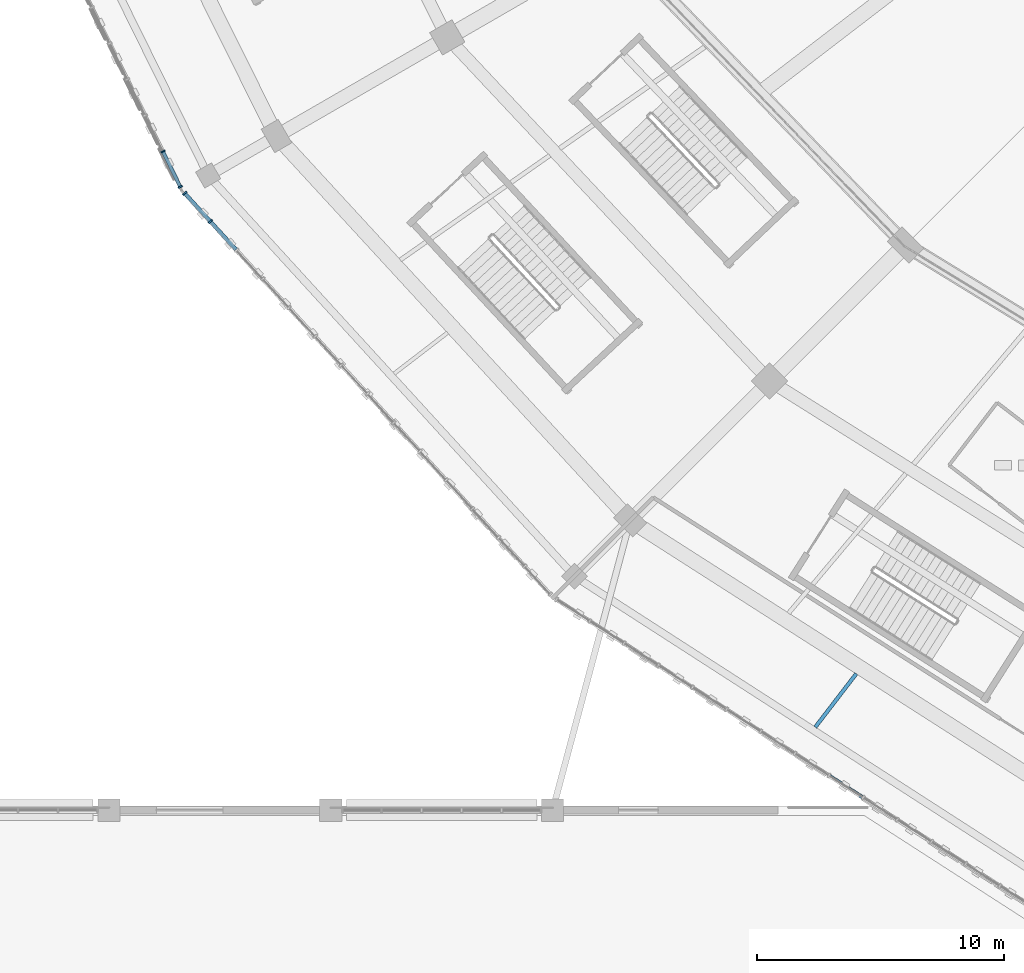
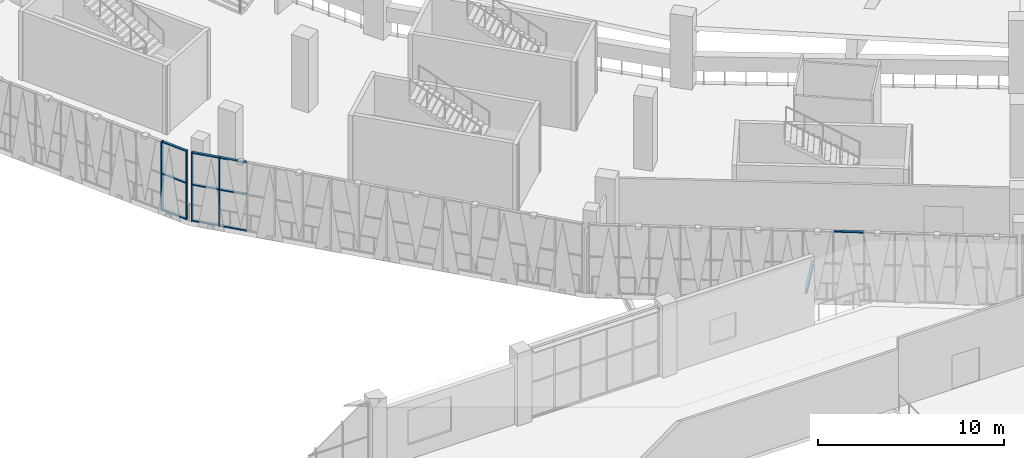
# One storey, part 7 of 183: 14 members, 1 beam, 3 elements without a shape of their own.
"""IFC4 building model written with IfcOpenShell, lengths in metres."""

import ifcopenshell
import ifcopenshell.guid

model = None  # the IFC model being written
_history = None  # IfcOwnerHistory: only IFC2X3 demands one
_inside = {}  # id of a spatial element -> (the spatial element, [elements in it])
_under = {}  # id of a project, library or spatial element -> (it, [spatial elements below it])
_declared = {}  # id of a project -> (the project, [libraries it declares])
_typed = {}  # id of a type object -> (the type object, [elements of that type])
_made_of = {}  # id of a material, layer set ... -> (it, [elements and type objects made of it])


def new_model(schema):
    """Start an empty IFC model of exactly this schema.

    Asked for "IFC4X3", IfcOpenShell would pick the latest addendum, in which some entities
    have other attributes; the version numbers below select the first issue.
    IFC2X3 requires an IfcOwnerHistory on every rooted entity: one is made here for all.
    """
    global model, _history
    if schema == "IFC4X3":
        model = ifcopenshell.file(schema_version=(4, 3, 0, 0))
    else:
        model = ifcopenshell.file(schema=schema)
    _inside.clear()
    _under.clear()
    _declared.clear()
    _typed.clear()
    _made_of.clear()
    _history = None
    if model.schema == "IFC2X3":
        org = make("IfcOrganization", Name="unknown")
        user = make(
            "IfcPersonAndOrganization",
            ThePerson=make("IfcPerson", FamilyName="unknown"),
            TheOrganization=org,
        )
        app = make(
            "IfcApplication",
            ApplicationDeveloper=org,
            Version="unknown",
            ApplicationFullName="unknown",
            ApplicationIdentifier="unknown",
        )
        _history = make(
            "IfcOwnerHistory",
            OwningUser=user,
            OwningApplication=app,
            ChangeAction="ADDED",
            CreationDate=0,
        )
    return model


def make(cls, **values):
    """One entity of the class cls with the attributes given. An attribute that is None is left unset."""
    return model.create_entity(
        cls, **{name: value for name, value in values.items() if value is not None}
    )


def rooted(cls, **values):
    """An entity with a GlobalId (a new one), such as an element, a storey or a relation."""
    return make(cls, GlobalId=ifcopenshell.guid.new(), OwnerHistory=_history, **values)


def si_unit(unit_type, name, prefix=None):
    """IfcSIUnit, for example si_unit("LENGTHUNIT", "METRE", prefix="MILLI")."""
    return make("IfcSIUnit", UnitType=unit_type, Prefix=prefix, Name=name)


def assignment(units):
    """IfcUnitAssignment: the units of a project."""
    return None if units is None else make("IfcUnitAssignment", Units=units)


def point(xyz):
    """IfcCartesianPoint."""
    return None if xyz is None else make("IfcCartesianPoint", Coordinates=xyz)


def direction(xyz):
    """IfcDirection."""
    return None if xyz is None else make("IfcDirection", DirectionRatios=xyz)


def frame(location, z_axis=None, x_axis=None):
    """IfcAxis2Placement3D, a coordinate frame: its origin and axes. An axis left out is left unset."""
    return make(
        "IfcAxis2Placement3D",
        Location=point(location),
        Axis=direction(z_axis),
        RefDirection=direction(x_axis),
    )


def frame_2d(location, x_axis=None):
    """IfcAxis2Placement2D, a coordinate frame in the plane: its origin and x axis."""
    return make(
        "IfcAxis2Placement2D", Location=point(location), RefDirection=direction(x_axis)
    )


def origin():
    """The frame at (0, 0, 0) with its axes left unset."""
    return frame((0.0, 0.0, 0.0))


def origin_2d():
    """The frame at (0, 0) in the plane with its x axis left unset."""
    return frame_2d((0.0, 0.0))


def place(relative_to, where):
    """IfcLocalPlacement: puts the frame where relative to a parent placement (None: the world)."""
    return make(
        "IfcLocalPlacement", PlacementRelTo=relative_to, RelativePlacement=where
    )


def context(
    kind, dimensions, precision=None, world=None, true_north=None, identifier=None
):
    """IfcGeometricRepresentationContext, for example the 3D "Model" context."""
    return make(
        "IfcGeometricRepresentationContext",
        ContextIdentifier=identifier,
        ContextType=kind,
        CoordinateSpaceDimension=dimensions,
        Precision=precision,
        WorldCoordinateSystem=world,
        TrueNorth=true_north,
    )


def subcontext(parent, identifier, kind, view, scale=None):
    """IfcGeometricRepresentationSubContext, for example "Body" below "Model"."""
    return make(
        "IfcGeometricRepresentationSubContext",
        ContextIdentifier=identifier,
        ContextType=kind,
        ParentContext=parent,
        TargetScale=scale,
        TargetView=view,
    )


def project(units=None, contexts=None):
    """IfcProject with its units and contexts."""
    return rooted(
        "IfcProject",
        Name="project",
        RepresentationContexts=contexts,
        UnitsInContext=assignment(units),
    )


def spatial(cls, under=None, at=None, **own):
    """A site, building, storey or space (cls), placed at a placement, below another one or the project."""
    s = rooted(cls, ObjectPlacement=at, **own)
    if under is not None:
        _under.setdefault(under.id(), (under, []))[1].append(s)
    return s


def profile(cls, at=None, kind="AREA", **sizes):
    """A parametric profile (cls). Its sizes go by their IFC names, for example OverallWidth=200.0."""
    return make(cls, ProfileType=kind, Position=at, **sizes)


def rectangle(**sizes):
    """IfcRectangleProfileDef."""
    return profile("IfcRectangleProfileDef", **sizes)


def i_section(**sizes):
    """IfcIShapeProfileDef."""
    return profile("IfcIShapeProfileDef", **sizes)


def extrude(swept, where, along, depth):
    """IfcExtrudedAreaSolid: the profile swept, set in the frame where, extruded along a direction by depth."""
    return make(
        "IfcExtrudedAreaSolid",
        SweptArea=swept,
        Position=where,
        ExtrudedDirection=direction(along),
        Depth=depth,
    )


def shape(context_of_items, identifier, shape_type, items):
    """IfcShapeRepresentation: the items that make up one representation, for example the "Body"."""
    return make(
        "IfcShapeRepresentation",
        ContextOfItems=context_of_items,
        RepresentationIdentifier=identifier,
        RepresentationType=shape_type,
        Items=items,
    )


def material(Name=None, Category=None):
    """IfcMaterial."""
    return make("IfcMaterial", Name=Name, Category=Category)


def material_profile(
    of_material, cross_section, Name=None, Category=None, Priority=None
):
    """IfcMaterialProfile: a cross section and its material."""
    return make(
        "IfcMaterialProfile",
        Name=Name,
        Material=of_material,
        Profile=cross_section,
        Priority=Priority,
        Category=Category,
    )


def profile_set(profiles, Name=None, composite=None):
    """IfcMaterialProfileSet."""
    return make(
        "IfcMaterialProfileSet",
        Name=Name,
        MaterialProfiles=profiles,
        CompositeProfile=composite,
    )


def made_of(thing, what):
    """Note that an element or type object is made of a material, layer set ...; save() writes the relation."""
    if what is not None:
        _made_of.setdefault(what.id(), (what, []))[1].append(thing)
    return thing


def type_object(cls, material=None, **own):
    """A type object (cls), such as IfcWallType, which elements share."""
    return made_of(rooted(cls, **own), material)


def element(
    cls,
    number,
    at=None,
    inside=None,
    cuts=None,
    type_object=None,
    material=None,
    context=None,
    identifier="Body",
    shape_type=None,
    held_by="IfcProductDefinitionShape",
    body=None,
    shapes=None,
    **own,
):
    """One element of the class cls, such as IfcWall. Its Tag is "e" and its number.

    at: its placement. inside: the storey or other place that contains it. cuts: it is an
    opening in that element (IfcRelVoidsElement). A single representation is given by context,
    identifier, shape_type and body (its items); several are given by shapes. held_by: the class
    of the entity that holds the representations. save() writes the other relations.
    """
    e = rooted(cls, Tag="e%d" % number, ObjectPlacement=at, **own)
    if body is not None:
        shapes = [shape(context, identifier, shape_type, body)]
    if shapes is not None:
        e.Representation = make(held_by, Representations=shapes)
    if inside is not None:
        _inside.setdefault(inside.id(), (inside, []))[1].append(e)
    if cuts is not None:
        rooted(
            "IfcRelVoidsElement", RelatingBuildingElement=cuts, RelatedOpeningElement=e
        )
    if type_object is not None:
        _typed.setdefault(type_object.id(), (type_object, []))[1].append(e)
    return made_of(e, material)


def aggregate(whole, parts):
    """IfcRelAggregates: a whole, such as a stair, and the parts it consists of."""
    return rooted("IfcRelAggregates", RelatingObject=whole, RelatedObjects=parts)


def save(model, path):
    """Write the relations noted so far, then the file.

    IfcRelAggregates (storeys below a building ...), IfcRelContainedInSpatialStructure (elements
    in a storey), IfcRelDefinesByType, IfcRelAssociatesMaterial and IfcRelDeclares: one each for
    every whole, place, type object, material and project.
    """
    for whole, parts in _under.values():
        aggregate(whole, parts)
    for where, things in _inside.values():
        rooted(
            "IfcRelContainedInSpatialStructure",
            RelatedElements=things,
            RelatingStructure=where,
        )
    for kind, things in _typed.values():
        rooted("IfcRelDefinesByType", RelatedObjects=things, RelatingType=kind)
    for what, things in _made_of.values():
        rooted("IfcRelAssociatesMaterial", RelatedObjects=things, RelatingMaterial=what)
    for by, libraries in _declared.values():
        rooted("IfcRelDeclares", RelatingContext=by, RelatedDefinitions=libraries)
    model.write(path)


model = new_model("IFC4")

# Units and contexts
model_context = context("Model", 3, precision=1e-05, world=origin(), true_north=direction((0.0, 1.0)))
body_context = subcontext(model_context, "Body", "Model", "MODEL_VIEW")
ifc_project = project(units=[si_unit("LENGTHUNIT", "METRE"), si_unit("AREAUNIT", "SQUARE_METRE"), si_unit("VOLUMEUNIT", "CUBIC_METRE"), si_unit("PLANEANGLEUNIT", "RADIAN"), si_unit("MASSUNIT", "GRAM", prefix="KILO")], contexts=[model_context])

# Site, building, storey
site_placement = place(None, origin())
site = spatial("IfcSite", under=ifc_project, at=site_placement, CompositionType="ELEMENT")
building_placement = place(site_placement, origin())
building = spatial("IfcBuilding", under=site, at=building_placement, Name="Zevraka Park Crest Stadium", CompositionType="ELEMENT")
storey_placement = place(building_placement, frame((0.0, 0.0, 5.39990234375)))
storey = spatial("IfcBuildingStorey", under=building, at=storey_placement, Name="L01", CompositionType="ELEMENT", Elevation=5.39990234375)

# Curtain wall, members
ifc_material_1 = material(Name="Anodised architectural aluminium and laminated safety glass", Category="aluminium")
curtain_wall_type_1 = type_object("IfcCurtainWallType", Name="CW02", PredefinedType="NOTDEFINED", material=ifc_material_1)
curtain_wall_1_placement = place(storey_placement, origin())
curtain_wall_1 = element("IfcCurtainWall", 1, at=curtain_wall_1_placement, inside=storey, type_object=curtain_wall_type_1, Name="Unitised Ring Curtain Wall CW02 L01-13", PredefinedType="NOTDEFINED")
ifc_material_2 = material(Name="Anodised architectural aluminium", Category="aluminium")
ifc_material_profile_1 = material_profile(ifc_material_2, rectangle(XDim=0.179931640625, YDim=0.06494140625, at=origin_2d()), Name="ALU MULLION 180x65")
ifc_profile_set_1 = profile_set([ifc_material_profile_1], Name="Anodised architectural aluminium")
member_type_1 = type_object("IfcMemberType", Name="CM02", PredefinedType="MULLION", material=ifc_profile_set_1)
member_1_placement = place(storey_placement, frame((29.19189453125, 53.72216796875, 0.0), z_axis=(0.0, 0.0, 1.0), x_axis=(0.897252732312, 0.44151730924, 0.0)))
member_1 = element("IfcMember", 2, at=member_1_placement, type_object=member_type_1, Name="CW02 mullion 13", PredefinedType="MULLION", context=body_context, shape_type="SweptSolid", body=[
    extrude(rectangle(XDim=0.179931640625, YDim=0.06494140625, at=origin_2d()), origin(), (0.0, 0.0, 1.0), 4.52001953125),
])
member_2_placement = place(storey_placement, frame((29.896728515625, 52.2900390625, 0.0), z_axis=(0.0, 0.0, 1.0), x_axis=(0.897252732312, 0.44151730924, 0.0)))
member_2 = element("IfcMember", 3, at=member_2_placement, type_object=member_type_1, Name="CW02 mullion 14", PredefinedType="MULLION", context=body_context, shape_type="SweptSolid", body=[
    extrude(rectangle(XDim=0.179931640625, YDim=0.06494140625, at=origin_2d()), origin(), (0.0, 0.0, 1.0), 4.52001953125),
])

ifc_material_3 = material(Name="Anodised architectural aluminium and laminated safety glass", Category="aluminium")
curtain_wall_type_2 = type_object("IfcCurtainWallType", Name="CW03", PredefinedType="NOTDEFINED", material=ifc_material_3)
curtain_wall_2_placement = place(storey_placement, origin())
curtain_wall_2 = element("IfcCurtainWall", 4, at=curtain_wall_2_placement, inside=storey, type_object=curtain_wall_type_2, Name="Unitised Ring Curtain Wall CW03 L01-14", PredefinedType="NOTDEFINED")
ifc_material_4 = material(Name="Anodised architectural aluminium", Category="aluminium")
ifc_material_profile_2 = material_profile(ifc_material_4, rectangle(XDim=0.199951171875, YDim=0.070068359375, at=origin_2d()), Name="ALU MULLION 200x70")
ifc_profile_set_2 = profile_set([ifc_material_profile_2], Name="Anodised architectural aluminium")
member_type_2 = type_object("IfcMemberType", Name="CM03", PredefinedType="MULLION", material=ifc_profile_set_2)
member_3_placement = place(storey_placement, frame((30.07763671875, 52.024169921875, 0.0), z_axis=(0.0, 0.0, 1.0), x_axis=(0.739023476371, 0.673679672672, 0.0)))
member_3 = element("IfcMember", 5, at=member_3_placement, type_object=member_type_2, Name="CW03 mullion 1", PredefinedType="MULLION", context=body_context, shape_type="SweptSolid", body=[
    extrude(rectangle(XDim=0.199951171875, YDim=0.070068359375, at=origin_2d()), origin(), (0.0, 0.0, 1.0), 4.52001953125),
])
member_4_placement = place(storey_placement, frame((31.11669921875, 50.88427734375, 0.0), z_axis=(0.0, 0.0, 1.0), x_axis=(0.739023476371, 0.673679672672, 0.0)))
member_4 = element("IfcMember", 6, at=member_4_placement, type_object=member_type_2, Name="CW03 mullion 2", PredefinedType="MULLION", context=body_context, shape_type="SweptSolid", body=[
    extrude(rectangle(XDim=0.199951171875, YDim=0.070068359375, at=origin_2d()), origin(), (0.0, 0.0, 1.0), 4.52001953125),
])

# Member
ifc_material_5 = material(Name="Anodised architectural aluminium", Category="aluminium")
ifc_material_profile_3 = material_profile(ifc_material_5, rectangle(XDim=0.139892578125, YDim=0.06494140625, at=origin_2d()), Name="ALU TRANSOM 140x65")
ifc_profile_set_3 = profile_set([ifc_material_profile_3], Name="Anodised architectural aluminium")
member_type_3 = type_object("IfcMemberType", Name="CT02", PredefinedType="USERDEFINED", material=ifc_profile_set_3)
member_5_placement = place(storey_placement, frame((29.206298828125, 53.69287109375, 0.03271484375), z_axis=(0.441591204786, -0.897216366244, 0.0), x_axis=(0.897216366244, 0.441591204786, 0.0)))
member_5 = element("IfcMember", 7, at=member_5_placement, type_object=member_type_3, Name="CW02 transom 13.1", ObjectType="TRANSOM", PredefinedType="USERDEFINED", context=body_context, shape_type="SweptSolid", body=[
    extrude(rectangle(XDim=0.139892578125, YDim=0.06494140625, at=origin_2d()), origin(), (0.0, 0.0, 1.0), 1.531005859375),
])

member_6_placement = place(storey_placement, frame((29.206298828125, 53.69287109375, 2.400146484375), z_axis=(0.441591204786, -0.897216366244, 0.0), x_axis=(0.897216366244, 0.441591204786, 0.0)))
member_6 = element("IfcMember", 8, at=member_6_placement, type_object=member_type_3, Name="CW02 transom 13.2", ObjectType="TRANSOM", PredefinedType="USERDEFINED", context=body_context, shape_type="SweptSolid", body=[
    extrude(rectangle(XDim=0.139892578125, YDim=0.06494140625, at=origin_2d()), origin(), (0.0, 0.0, 1.0), 1.531005859375),
])

member_7_placement = place(storey_placement, frame((29.206298828125, 53.69287109375, 4.487548828125), z_axis=(0.441591204786, -0.897216366244, 0.0), x_axis=(0.897216366244, 0.441591204786, 0.0)))
member_7 = element("IfcMember", 9, at=member_7_placement, type_object=member_type_3, Name="CW02 transom 13.3", ObjectType="TRANSOM", PredefinedType="USERDEFINED", context=body_context, shape_type="SweptSolid", body=[
    extrude(rectangle(XDim=0.139892578125, YDim=0.06494140625, at=origin_2d()), origin(), (0.0, 0.0, 1.0), 1.531005859375),
])

aggregate(curtain_wall_1, [member_1, member_2, member_5, member_6, member_7])

ifc_material_6 = material(Name="Anodised architectural aluminium", Category="aluminium")
ifc_material_profile_4 = material_profile(ifc_material_6, rectangle(XDim=0.14990234375, YDim=0.070068359375, at=origin_2d()), Name="ALU TRANSOM 150x70")
ifc_profile_set_4 = profile_set([ifc_material_profile_4], Name="Anodised architectural aluminium")
member_type_4 = type_object("IfcMemberType", Name="CT03", PredefinedType="USERDEFINED", material=ifc_profile_set_4)
member_8_placement = place(storey_placement, frame((30.10107421875, 51.998291015625, 0.03515625), z_axis=(0.673687280194, -0.739016541429, 0.0), x_axis=(0.739016541429, 0.673687280194, 0.0)))
member_8 = element("IfcMember", 10, at=member_8_placement, type_object=member_type_4, Name="CW03 transom 1.1", ObjectType="TRANSOM", PredefinedType="USERDEFINED", context=body_context, shape_type="SweptSolid", body=[
    extrude(rectangle(XDim=0.14990234375, YDim=0.070068359375, at=origin_2d()), origin(), (0.0, 0.0, 1.0), 1.472412109375),
])

member_9_placement = place(storey_placement, frame((30.10107421875, 51.998291015625, 2.400146484375), z_axis=(0.673687280194, -0.739016541429, 0.0), x_axis=(0.739016541429, 0.673687280194, 0.0)))
member_9 = element("IfcMember", 11, at=member_9_placement, type_object=member_type_4, Name="CW03 transom 1.2", ObjectType="TRANSOM", PredefinedType="USERDEFINED", context=body_context, shape_type="SweptSolid", body=[
    extrude(rectangle(XDim=0.14990234375, YDim=0.070068359375, at=origin_2d()), origin(), (0.0, 0.0, 1.0), 1.472412109375),
])

member_10_placement = place(storey_placement, frame((30.10107421875, 51.998291015625, 4.485107421875), z_axis=(0.673687280194, -0.739016541429, 0.0), x_axis=(0.739016541429, 0.673687280194, 0.0)))
member_10 = element("IfcMember", 12, at=member_10_placement, type_object=member_type_4, Name="CW03 transom 1.3", ObjectType="TRANSOM", PredefinedType="USERDEFINED", context=body_context, shape_type="SweptSolid", body=[
    extrude(rectangle(XDim=0.14990234375, YDim=0.070068359375, at=origin_2d()), origin(), (0.0, 0.0, 1.0), 1.472412109375),
])

member_11_placement = place(storey_placement, frame((31.14013671875, 50.8583984375, 0.03515625), z_axis=(0.673720043681, -0.738986672913, 0.0), x_axis=(0.738986672913, 0.673720043681, 0.0)))
member_11 = element("IfcMember", 13, at=member_11_placement, type_object=member_type_4, Name="CW03 transom 2.1", ObjectType="TRANSOM", PredefinedType="USERDEFINED", context=body_context, shape_type="SweptSolid", body=[
    extrude(rectangle(XDim=0.14990234375, YDim=0.070068359375, at=origin_2d()), origin(), (0.0, 0.0, 1.0), 1.507568359375),
])

member_12_placement = place(storey_placement, frame((31.14013671875, 50.8583984375, 2.400146484375), z_axis=(0.673720043681, -0.738986672913, 0.0), x_axis=(0.738986672913, 0.673720043681, 0.0)))
member_12 = element("IfcMember", 14, at=member_12_placement, type_object=member_type_4, Name="CW03 transom 2.2", ObjectType="TRANSOM", PredefinedType="USERDEFINED", context=body_context, shape_type="SweptSolid", body=[
    extrude(rectangle(XDim=0.14990234375, YDim=0.070068359375, at=origin_2d()), origin(), (0.0, 0.0, 1.0), 1.507568359375),
])

member_13_placement = place(storey_placement, frame((31.14013671875, 50.8583984375, 4.485107421875), z_axis=(0.673720043681, -0.738986672913, 0.0), x_axis=(0.738986672913, 0.673720043681, 0.0)))
member_13 = element("IfcMember", 15, at=member_13_placement, type_object=member_type_4, Name="CW03 transom 2.3", ObjectType="TRANSOM", PredefinedType="USERDEFINED", context=body_context, shape_type="SweptSolid", body=[
    extrude(rectangle(XDim=0.14990234375, YDim=0.070068359375, at=origin_2d()), origin(), (0.0, 0.0, 1.0), 1.507568359375),
])

aggregate(curtain_wall_2, [member_3, member_4, member_8, member_9, member_10, member_11, member_12, member_13])

# Curtain wall, member
curtain_wall_3_placement = place(storey_placement, origin())
curtain_wall_3 = element("IfcCurtainWall", 16, at=curtain_wall_3_placement, inside=storey, type_object=curtain_wall_type_2, Name="Unitised Ring Curtain Wall CW03 L01-15", PredefinedType="NOTDEFINED")
member_14_placement = place(storey_placement, frame((56.241455078125, 28.385009765625, 4.485107421875), z_axis=(0.840046715264, -0.542514070024, 0.0), x_axis=(0.542514070024, 0.840046715264, 0.0)))
member_14 = element("IfcMember", 17, at=member_14_placement, type_object=member_type_4, Name="CW03 transom 9.3", ObjectType="TRANSOM", PredefinedType="USERDEFINED", context=body_context, shape_type="SweptSolid", body=[
    extrude(rectangle(XDim=0.14990234375, YDim=0.070068359375, at=origin_2d()), origin(), (0.0, 0.0, 1.0), 1.57958984375),
])
aggregate(curtain_wall_3, [member_14])

# Beam
ifc_material_7 = material(Name="Steel S355", Category="steel")
ifc_material_profile_5 = material_profile(ifc_material_7, i_section(OverallWidth=0.14990234375, OverallDepth=0.300048828125, WebThickness=0.007080078125, FlangeThickness=0.0107421875, at=origin_2d()), Name="IPE 300")
ifc_profile_set_5 = profile_set([ifc_material_profile_5], Name="Steel S355")
beam_type = type_object("IfcBeamType", Name="SJ01", PredefinedType="JOIST", material=ifc_profile_set_5)
beam_placement = place(storey_placement, frame((57.319091796875, 32.537109375, -0.4580078125), z_axis=(-0.608829249804, -0.793301294959, 0.0), x_axis=(0.793301294959, -0.608829249804, 0.0)))
element("IfcBeam", 18, at=beam_placement, inside=storey, type_object=beam_type, Name="Floor Joist SJ01 L01-DE-15-1", PredefinedType="JOIST", context=body_context, shape_type="SweptSolid", body=[
    extrude(i_section(OverallWidth=0.14990234375, OverallDepth=0.300048828125, WebThickness=0.007080078125, FlangeThickness=0.0107421875, at=origin_2d()), origin(), (0.0, 0.0, 1.0), 2.731689453125),
])

save(model, "model.ifc")
